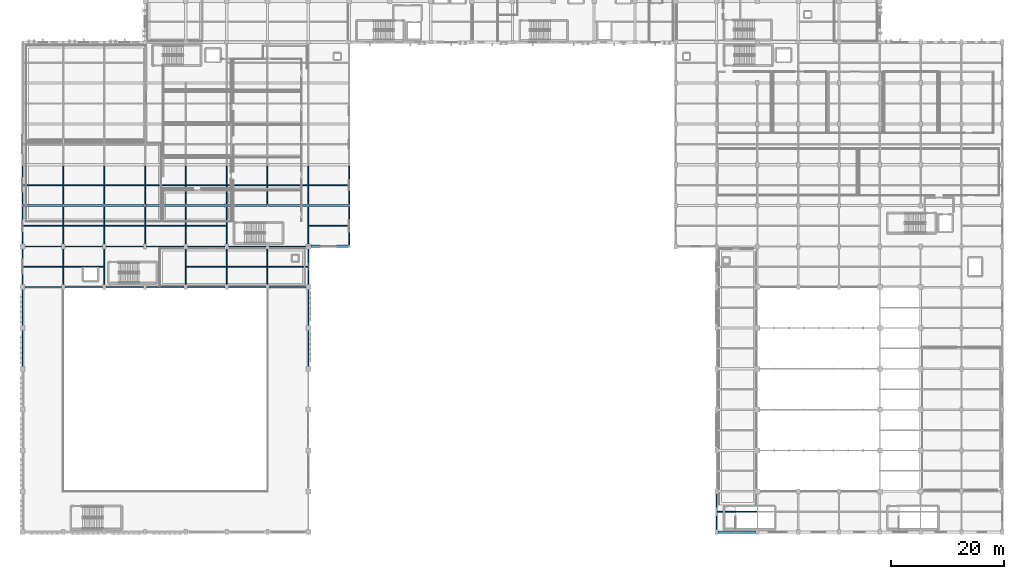
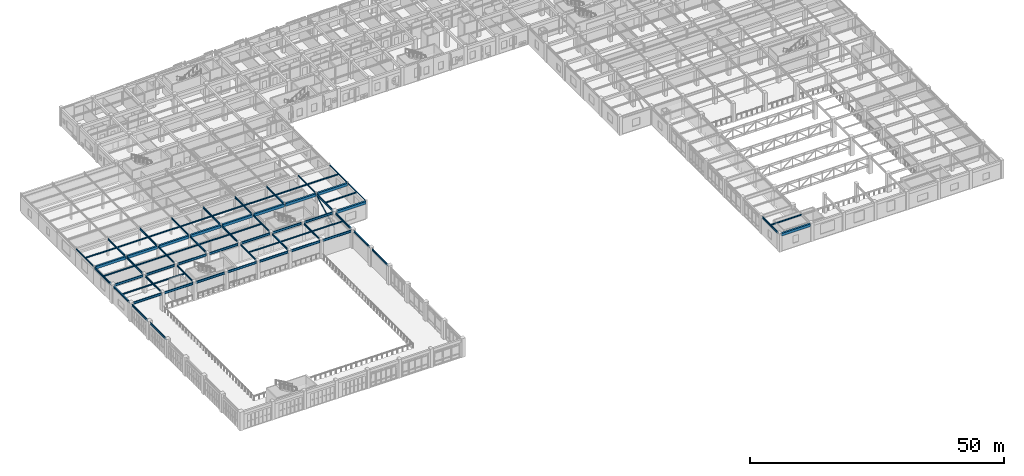
# One storey, part 18 of 106: 73 beams, 1 member.
"""IFC4 building model written with IfcOpenShell, lengths in metres."""

from ifc_helpers import new_model, si_unit, direction, frame, origin, origin_2d, place, context, subcontext, project, spatial, rectangle, hollow_rectangle, i_section, extrude, material, material_profile, profile_set, type_object, element, save


model = new_model("IFC4")

# Units and contexts
model_context = context("Model", 3, precision=1e-05, world=origin(), true_north=direction((0.0, 1.0)))
body_context = subcontext(model_context, "Body", "Model", "MODEL_VIEW")
ifc_project = project(units=[si_unit("LENGTHUNIT", "METRE"), si_unit("AREAUNIT", "SQUARE_METRE"), si_unit("VOLUMEUNIT", "CUBIC_METRE"), si_unit("PLANEANGLEUNIT", "RADIAN"), si_unit("MASSUNIT", "GRAM", prefix="KILO")], contexts=[model_context])

# Site, building, storey
site_placement = place(None, origin())
site = spatial("IfcSite", under=ifc_project, at=site_placement, CompositionType="ELEMENT")
building_placement = place(site_placement, origin())
building = spatial("IfcBuilding", under=site, at=building_placement, Name="Carrowvane Square Congress Hotel", CompositionType="ELEMENT")
storey_placement = place(building_placement, frame((0.0, 0.0, 10.5)))
storey = spatial("IfcBuildingStorey", under=building, at=storey_placement, Name="L02", CompositionType="ELEMENT", Elevation=10.5)

# Beams
ifc_material_1 = material(Name="Concrete C35/45", Category="concrete")
ifc_material_profile_1 = material_profile(ifc_material_1, rectangle(XDim=0.39990234375, YDim=0.64990234375, at=origin_2d()), Name="RC 400x650")
ifc_profile_set_1 = profile_set([ifc_material_profile_1], Name="Concrete C35/45")
beam_type_1 = type_object("IfcBeamType", Name="BM-RC-400x650", PredefinedType="BEAM", material=ifc_profile_set_1)
for number, where, z_axis, x_axis, name in (
    (1, (11.754638671875, 63.0, 3.89501953125), (1.0, 0.0, 0.0), (0.0, 1.0, 0.0), "L03 girder J/1-2"),
    (2, (18.95458984375, 63.0, 3.89501953125), (1.0, 0.0, 0.0), (0.0, 1.0, 0.0), "L03 girder J/2-3"),
    (3, (26.154541015625, 63.0, 3.89501953125), (1.0, 0.0, 0.0), (0.0, 1.0, 0.0), "L03 girder J/3-4"),
    (4, (33.3544921875, 63.0, 3.89501953125), (1.0, 0.0, 0.0), (0.0, 1.0, 0.0), "L03 girder J/4-5"),
):
    element("IfcBeam", number, at=place(storey_placement, frame(where, z_axis=z_axis, x_axis=x_axis)), inside=storey, type_object=beam_type_1, Name=name, PredefinedType="BEAM", context=body_context, shape_type="SweptSolid", body=[
        extrude(rectangle(XDim=0.39990234375, YDim=0.64990234375, at=origin_2d()), origin(), (0.0, 0.0, 1.0), 6.890869140625),
    ])
beam_1_placement = place(storey_placement, frame((40.5546875, 63.0, 3.89501953125), z_axis=(1.0, 0.0, 0.0), x_axis=(0.0, 1.0, 0.0)))
element("IfcBeam", 5, at=beam_1_placement, inside=storey, type_object=beam_type_1, Name="L03 girder J/5-6", PredefinedType="BEAM", context=body_context, shape_type="SweptSolid", body=[
    extrude(rectangle(XDim=0.39990234375, YDim=0.64990234375, at=origin_2d()), origin(), (0.0, 0.0, 1.0), 6.890625),
])
for number, where, z_axis, x_axis, name in (
    (6, (47.754638671875, 63.0, 3.89501953125), (1.0, 0.0, 0.0), (0.0, 1.0, 0.0), "L03 girder J/6-7"),
    (7, (54.95458984375, 63.0, 3.89501953125), (1.0, 0.0, 0.0), (0.0, 1.0, 0.0), "L03 girder J/7-8"),
    (8, (62.154541015625, 63.0, 3.89501953125), (1.0, 0.0, 0.0), (0.0, 1.0, 0.0), "L03 girder J/8-9"),
):
    element("IfcBeam", number, at=place(storey_placement, frame(where, z_axis=z_axis, x_axis=x_axis)), inside=storey, type_object=beam_type_1, Name=name, PredefinedType="BEAM", context=body_context, shape_type="SweptSolid", body=[
        extrude(rectangle(XDim=0.39990234375, YDim=0.64990234375, at=origin_2d()), origin(), (0.0, 0.0, 1.0), 6.890869140625),
    ])
ifc_material_2 = material(Name="Steel S355", Category="steel")
ifc_material_profile_2 = material_profile(ifc_material_2, hollow_rectangle(XDim=0.14990234375, YDim=0.25, WallThickness=0.012451171875, at=origin_2d()), Name="RHS 250x150x12.5")
ifc_profile_set_2 = profile_set([ifc_material_profile_2], Name="Steel S355")
beam_type_2 = type_object("IfcBeamType", Name="BM-ST-RHS250", PredefinedType="SPANDREL", material=ifc_profile_set_2)
for number, where, z_axis, x_axis, name in (
    (9, (11.60009765625, 63.16015625, 4.094970703125), (0.0, 1.0, 0.0), (-1.0, 0.0, 0.0), "L03 girder 1/J-K"),
    (10, (62.0, 63.16015625, 4.094970703125), (0.0, 1.0, 0.0), (-1.0, 0.0, 0.0), "L03 girder 8/J-K"),
    (11, (69.199951171875, 55.960205078125, 4.094970703125), (0.0, 1.0, 0.0), (-1.0, 0.0, 0.0), "L03 girder 9/H-J"),
    (12, (69.199951171875, 63.16015625, 4.094970703125), (0.0, 1.0, 0.0), (-1.0, 0.0, 0.0), "L03 girder 9/J-K"),
):
    element("IfcBeam", number, at=place(storey_placement, frame(where, z_axis=z_axis, x_axis=x_axis)), inside=storey, type_object=beam_type_2, Name=name, PredefinedType="SPANDREL", context=body_context, shape_type="SweptSolid", body=[
        extrude(hollow_rectangle(XDim=0.14990234375, YDim=0.25, WallThickness=0.012451171875, at=origin_2d()), origin(), (0.0, 0.0, 1.0), 6.879638671875),
    ])
ifc_material_3 = material(Name="Steel S355", Category="steel")
ifc_material_profile_3 = material_profile(ifc_material_3, i_section(OverallWidth=0.165771484375, OverallDepth=0.306640625, WebThickness=0.006591796875, FlangeThickness=0.01171875, FilletRadius=0.0087890625, at=origin_2d()), Name="UKB 305x165x46")
ifc_profile_set_3 = profile_set([ifc_material_profile_3], Name="Steel S355")
beam_type_3 = type_object("IfcBeamType", Name="BM-ST-UKB305", PredefinedType="JOIST", material=ifc_profile_set_3)
for number, where, z_axis, x_axis, name in (
    (13, (11.695556640625, 52.199951171875, 4.066650390625), (1.0, 0.0, 0.0), (0.0, 1.0, 0.0), "L03 secondary joist 1-2"),
    (14, (11.695556640625, 59.39990234375, 4.066650390625), (1.0, 0.0, 0.0), (0.0, 1.0, 0.0), "L03 secondary joist 1-2"),
):
    element("IfcBeam", number, at=place(storey_placement, frame(where, z_axis=z_axis, x_axis=x_axis)), inside=storey, type_object=beam_type_3, Name=name, PredefinedType="JOIST", context=body_context, shape_type="SweptSolid", body=[
        extrude(i_section(OverallWidth=0.165771484375, OverallDepth=0.306640625, WebThickness=0.006591796875, FlangeThickness=0.01171875, FilletRadius=0.0087890625, at=origin_2d()), origin(), (0.0, 0.0, 1.0), 7.01513671875),
    ])
beam_2_placement = place(storey_placement, frame((11.675048828125, 66.60009765625, 4.066650390625), z_axis=(1.0, 0.0, 0.0), x_axis=(0.0, 1.0, 0.0)))
element("IfcBeam", 15, at=beam_2_placement, inside=storey, type_object=beam_type_3, Name="L03 secondary joist 1-2", PredefinedType="JOIST", context=body_context, shape_type="SweptSolid", body=[
    extrude(i_section(OverallWidth=0.165771484375, OverallDepth=0.306640625, WebThickness=0.006591796875, FlangeThickness=0.01171875, FilletRadius=0.0087890625, at=origin_2d()), origin(), (0.0, 0.0, 1.0), 7.03564453125),
])
for number, where, z_axis, x_axis, name in (
    (16, (18.889404296875, 52.199951171875, 4.066650390625), (1.0, 0.0, 0.0), (0.0, 1.0, 0.0), "L03 secondary joist 2-3"),
    (17, (18.889404296875, 59.39990234375, 4.066650390625), (1.0, 0.0, 0.0), (0.0, 1.0, 0.0), "L03 secondary joist 2-3"),
    (18, (18.889404296875, 66.60009765625, 4.066650390625), (1.0, 0.0, 0.0), (0.0, 1.0, 0.0), "L03 secondary joist 2-3"),
    (19, (26.08935546875, 59.39990234375, 4.066650390625), (1.0, 0.0, 0.0), (0.0, 1.0, 0.0), "L03 secondary joist 3-4"),
    (20, (26.08935546875, 66.60009765625, 4.066650390625), (1.0, 0.0, 0.0), (0.0, 1.0, 0.0), "L03 secondary joist 3-4"),
    (21, (33.289306640625, 59.39990234375, 4.066650390625), (1.0, 0.0, 0.0), (0.0, 1.0, 0.0), "L03 secondary joist 4-5"),
    (22, (33.289306640625, 66.60009765625, 4.066650390625), (1.0, 0.0, 0.0), (0.0, 1.0, 0.0), "L03 secondary joist 4-5"),
):
    element("IfcBeam", number, at=place(storey_placement, frame(where, z_axis=z_axis, x_axis=x_axis)), inside=storey, type_object=beam_type_3, Name=name, PredefinedType="JOIST", context=body_context, shape_type="SweptSolid", body=[
        extrude(i_section(OverallWidth=0.165771484375, OverallDepth=0.306640625, WebThickness=0.006591796875, FlangeThickness=0.01171875, FilletRadius=0.0087890625, at=origin_2d()), origin(), (0.0, 0.0, 1.0), 7.021240234375),
    ])
for number, where, z_axis, x_axis, name in (
    (23, (40.489501953125, 52.199951171875, 4.066650390625), (1.0, 0.0, 0.0), (0.0, 1.0, 0.0), "L03 secondary joist 5-6"),
    (24, (40.489501953125, 59.39990234375, 4.066650390625), (1.0, 0.0, 0.0), (0.0, 1.0, 0.0), "L03 secondary joist 5-6"),
    (25, (40.489501953125, 66.60009765625, 4.066650390625), (1.0, 0.0, 0.0), (0.0, 1.0, 0.0), "L03 secondary joist 5-6"),
):
    element("IfcBeam", number, at=place(storey_placement, frame(where, z_axis=z_axis, x_axis=x_axis)), inside=storey, type_object=beam_type_3, Name=name, PredefinedType="JOIST", context=body_context, shape_type="SweptSolid", body=[
        extrude(i_section(OverallWidth=0.165771484375, OverallDepth=0.306640625, WebThickness=0.006591796875, FlangeThickness=0.01171875, FilletRadius=0.0087890625, at=origin_2d()), origin(), (0.0, 0.0, 1.0), 7.02099609375),
    ])
for number, where, z_axis, x_axis, name in (
    (26, (47.689453125, 52.199951171875, 4.066650390625), (1.0, 0.0, 0.0), (0.0, 1.0, 0.0), "L03 secondary joist 6-7"),
    (27, (47.689453125, 66.60009765625, 4.066650390625), (1.0, 0.0, 0.0), (0.0, 1.0, 0.0), "L03 secondary joist 6-7"),
):
    element("IfcBeam", number, at=place(storey_placement, frame(where, z_axis=z_axis, x_axis=x_axis)), inside=storey, type_object=beam_type_3, Name=name, PredefinedType="JOIST", context=body_context, shape_type="SweptSolid", body=[
        extrude(i_section(OverallWidth=0.165771484375, OverallDepth=0.306640625, WebThickness=0.006591796875, FlangeThickness=0.01171875, FilletRadius=0.0087890625, at=origin_2d()), origin(), (0.0, 0.0, 1.0), 7.021240234375),
    ])
beam_3_placement = place(storey_placement, frame((54.889404296875, 52.199951171875, 4.066650390625), z_axis=(1.0, 0.0, 0.0), x_axis=(0.0, 1.0, 0.0)))
element("IfcBeam", 28, at=beam_3_placement, inside=storey, type_object=beam_type_3, Name="L03 secondary joist 7-8", PredefinedType="JOIST", context=body_context, shape_type="SweptSolid", body=[
    extrude(i_section(OverallWidth=0.165771484375, OverallDepth=0.306640625, WebThickness=0.006591796875, FlangeThickness=0.01171875, FilletRadius=0.0087890625, at=origin_2d()), origin(), (0.0, 0.0, 1.0), 7.014892578125),
])
beam_4_placement = place(storey_placement, frame((54.889404296875, 66.60009765625, 4.066650390625), z_axis=(1.0, 0.0, 0.0), x_axis=(0.0, 1.0, 0.0)))
element("IfcBeam", 29, at=beam_4_placement, inside=storey, type_object=beam_type_3, Name="L03 secondary joist 7-8", PredefinedType="JOIST", context=body_context, shape_type="SweptSolid", body=[
    extrude(i_section(OverallWidth=0.165771484375, OverallDepth=0.306640625, WebThickness=0.006591796875, FlangeThickness=0.01171875, FilletRadius=0.0087890625, at=origin_2d()), origin(), (0.0, 0.0, 1.0), 7.03564453125),
])
beam_5_placement = place(storey_placement, frame((62.095703125, 59.39990234375, 4.066650390625), z_axis=(1.0, 0.0, 0.0), x_axis=(0.0, 1.0, 0.0)))
element("IfcBeam", 30, at=beam_5_placement, inside=storey, type_object=beam_type_3, Name="L03 secondary joist 8-9", PredefinedType="JOIST", context=body_context, shape_type="SweptSolid", body=[
    extrude(i_section(OverallWidth=0.165771484375, OverallDepth=0.306640625, WebThickness=0.006591796875, FlangeThickness=0.01171875, FilletRadius=0.0087890625, at=origin_2d()), origin(), (0.0, 0.0, 1.0), 7.029296875),
])
beam_6_placement = place(storey_placement, frame((62.074951171875, 66.60009765625, 4.066650390625), z_axis=(1.0, 0.0, 0.0), x_axis=(0.0, 1.0, 0.0)))
element("IfcBeam", 31, at=beam_6_placement, inside=storey, type_object=beam_type_3, Name="L03 secondary joist 8-9", PredefinedType="JOIST", context=body_context, shape_type="SweptSolid", body=[
    extrude(i_section(OverallWidth=0.165771484375, OverallDepth=0.306640625, WebThickness=0.006591796875, FlangeThickness=0.01171875, FilletRadius=0.0087890625, at=origin_2d()), origin(), (0.0, 0.0, 1.0), 7.050048828125),
])
beam_7_placement = place(storey_placement, frame((134.095703125, 9.0, 4.066650390625), z_axis=(1.0, 0.0, 0.0), x_axis=(0.0, 1.0, 0.0)))
element("IfcBeam", 32, at=beam_7_placement, inside=storey, type_object=beam_type_3, Name="L03 secondary joist 18-19", PredefinedType="JOIST", context=body_context, shape_type="SweptSolid", body=[
    extrude(i_section(OverallWidth=0.165771484375, OverallDepth=0.306640625, WebThickness=0.006591796875, FlangeThickness=0.01171875, FilletRadius=0.0087890625, at=origin_2d()), origin(), (0.0, 0.0, 1.0), 6.999267578125),
])
ifc_material_4 = material(Name="Steel S355", Category="steel")
ifc_material_profile_4 = material_profile(ifc_material_4, i_section(OverallWidth=0.1787109375, OverallDepth=0.409423828125, WebThickness=0.0087890625, FlangeThickness=0.014404296875, FilletRadius=0.01025390625, at=origin_2d()), Name="UKB 406x178x67")
ifc_profile_set_4 = profile_set([ifc_material_profile_4], Name="Steel S355")
beam_type_4 = type_object("IfcBeamType", Name="BM-ST-UKB406", PredefinedType="BEAM", material=ifc_profile_set_4)
beam_8_placement = place(storey_placement, frame((18.800048828125, 49.050048828125, 4.015380859375), z_axis=(0.0, 1.0, 0.0), x_axis=(-1.0, 0.0, 0.0)))
element("IfcBeam", 33, at=beam_8_placement, inside=storey, type_object=beam_type_4, Name="L03 girder 2/G-H", PredefinedType="BEAM", context=body_context, shape_type="SweptSolid", body=[
    extrude(i_section(OverallWidth=0.1787109375, OverallDepth=0.409423828125, WebThickness=0.0087890625, FlangeThickness=0.014404296875, FilletRadius=0.01025390625, at=origin_2d()), origin(), (0.0, 0.0, 1.0), 6.300048828125),
])
beam_9_placement = place(storey_placement, frame((18.800048828125, 56.25, 4.015380859375), z_axis=(0.0, 1.0, 0.0), x_axis=(-1.0, 0.0, 0.0)))
element("IfcBeam", 34, at=beam_9_placement, inside=storey, type_object=beam_type_4, Name="L03 girder 2/H-J", PredefinedType="BEAM", context=body_context, shape_type="SweptSolid", body=[
    extrude(i_section(OverallWidth=0.1787109375, OverallDepth=0.409423828125, WebThickness=0.0087890625, FlangeThickness=0.014404296875, FilletRadius=0.01025390625, at=origin_2d()), origin(), (0.0, 0.0, 1.0), 6.58984375),
])
beam_10_placement = place(storey_placement, frame((18.800048828125, 63.16015625, 4.015380859375), z_axis=(0.0, 1.0, 0.0), x_axis=(-1.0, 0.0, 0.0)))
element("IfcBeam", 35, at=beam_10_placement, inside=storey, type_object=beam_type_4, Name="L03 girder 2/J-K", PredefinedType="BEAM", context=body_context, shape_type="SweptSolid", body=[
    extrude(i_section(OverallWidth=0.1787109375, OverallDepth=0.409423828125, WebThickness=0.0087890625, FlangeThickness=0.014404296875, FilletRadius=0.01025390625, at=origin_2d()), origin(), (0.0, 0.0, 1.0), 6.879638671875),
])
beam_11_placement = place(storey_placement, frame((26.0, 49.050048828125, 4.015380859375), z_axis=(0.0, 1.0, 0.0), x_axis=(-1.0, 0.0, 0.0)))
element("IfcBeam", 36, at=beam_11_placement, inside=storey, type_object=beam_type_4, Name="L03 girder 3/G-H", PredefinedType="BEAM", context=body_context, shape_type="SweptSolid", body=[
    extrude(i_section(OverallWidth=0.1787109375, OverallDepth=0.409423828125, WebThickness=0.0087890625, FlangeThickness=0.014404296875, FilletRadius=0.01025390625, at=origin_2d()), origin(), (0.0, 0.0, 1.0), 6.300048828125),
])
beam_12_placement = place(storey_placement, frame((26.0, 56.25, 4.015380859375), z_axis=(0.0, 1.0, 0.0), x_axis=(-1.0, 0.0, 0.0)))
element("IfcBeam", 37, at=beam_12_placement, inside=storey, type_object=beam_type_4, Name="L03 girder 3/H-J", PredefinedType="BEAM", context=body_context, shape_type="SweptSolid", body=[
    extrude(i_section(OverallWidth=0.1787109375, OverallDepth=0.409423828125, WebThickness=0.0087890625, FlangeThickness=0.014404296875, FilletRadius=0.01025390625, at=origin_2d()), origin(), (0.0, 0.0, 1.0), 6.58984375),
])
beam_13_placement = place(storey_placement, frame((26.0, 63.16015625, 4.015380859375), z_axis=(0.0, 1.0, 0.0), x_axis=(-1.0, 0.0, 0.0)))
element("IfcBeam", 38, at=beam_13_placement, inside=storey, type_object=beam_type_4, Name="L03 girder 3/J-K", PredefinedType="BEAM", context=body_context, shape_type="SweptSolid", body=[
    extrude(i_section(OverallWidth=0.1787109375, OverallDepth=0.409423828125, WebThickness=0.0087890625, FlangeThickness=0.014404296875, FilletRadius=0.01025390625, at=origin_2d()), origin(), (0.0, 0.0, 1.0), 6.879638671875),
])
beam_14_placement = place(storey_placement, frame((33.199951171875, 56.25, 4.015380859375), z_axis=(0.0, 1.0, 0.0), x_axis=(-1.0, 0.0, 0.0)))
element("IfcBeam", 39, at=beam_14_placement, inside=storey, type_object=beam_type_4, Name="L03 girder 4/H-J", PredefinedType="BEAM", context=body_context, shape_type="SweptSolid", body=[
    extrude(i_section(OverallWidth=0.1787109375, OverallDepth=0.409423828125, WebThickness=0.0087890625, FlangeThickness=0.014404296875, FilletRadius=0.01025390625, at=origin_2d()), origin(), (0.0, 0.0, 1.0), 6.58984375),
])
beam_15_placement = place(storey_placement, frame((33.199951171875, 63.16015625, 4.015380859375), z_axis=(0.0, 1.0, 0.0), x_axis=(-1.0, 0.0, 0.0)))
element("IfcBeam", 40, at=beam_15_placement, inside=storey, type_object=beam_type_4, Name="L03 girder 4/J-K", PredefinedType="BEAM", context=body_context, shape_type="SweptSolid", body=[
    extrude(i_section(OverallWidth=0.1787109375, OverallDepth=0.409423828125, WebThickness=0.0087890625, FlangeThickness=0.014404296875, FilletRadius=0.01025390625, at=origin_2d()), origin(), (0.0, 0.0, 1.0), 6.879638671875),
])
beam_16_placement = place(storey_placement, frame((40.39990234375, 49.050048828125, 4.015380859375), z_axis=(0.0, 1.0, 0.0), x_axis=(-1.0, 0.0, 0.0)))
element("IfcBeam", 41, at=beam_16_placement, inside=storey, type_object=beam_type_4, Name="L03 girder 5/G-H", PredefinedType="BEAM", context=body_context, shape_type="SweptSolid", body=[
    extrude(i_section(OverallWidth=0.1787109375, OverallDepth=0.409423828125, WebThickness=0.0087890625, FlangeThickness=0.014404296875, FilletRadius=0.01025390625, at=origin_2d()), origin(), (0.0, 0.0, 1.0), 6.300048828125),
])
beam_17_placement = place(storey_placement, frame((40.39990234375, 56.25, 4.015380859375), z_axis=(0.0, 1.0, 0.0), x_axis=(-1.0, 0.0, 0.0)))
element("IfcBeam", 42, at=beam_17_placement, inside=storey, type_object=beam_type_4, Name="L03 girder 5/H-J", PredefinedType="BEAM", context=body_context, shape_type="SweptSolid", body=[
    extrude(i_section(OverallWidth=0.1787109375, OverallDepth=0.409423828125, WebThickness=0.0087890625, FlangeThickness=0.014404296875, FilletRadius=0.01025390625, at=origin_2d()), origin(), (0.0, 0.0, 1.0), 6.58984375),
])
beam_18_placement = place(storey_placement, frame((40.39990234375, 63.16015625, 4.015380859375), z_axis=(0.0, 1.0, 0.0), x_axis=(-1.0, 0.0, 0.0)))
element("IfcBeam", 43, at=beam_18_placement, inside=storey, type_object=beam_type_4, Name="L03 girder 5/J-K", PredefinedType="BEAM", context=body_context, shape_type="SweptSolid", body=[
    extrude(i_section(OverallWidth=0.1787109375, OverallDepth=0.409423828125, WebThickness=0.0087890625, FlangeThickness=0.014404296875, FilletRadius=0.01025390625, at=origin_2d()), origin(), (0.0, 0.0, 1.0), 6.879638671875),
])
beam_19_placement = place(storey_placement, frame((47.60009765625, 49.050048828125, 4.015380859375), z_axis=(0.0, 1.0, 0.0), x_axis=(-1.0, 0.0, 0.0)))
element("IfcBeam", 44, at=beam_19_placement, inside=storey, type_object=beam_type_4, Name="L03 girder 6/G-H", PredefinedType="BEAM", context=body_context, shape_type="SweptSolid", body=[
    extrude(i_section(OverallWidth=0.1787109375, OverallDepth=0.409423828125, WebThickness=0.0087890625, FlangeThickness=0.014404296875, FilletRadius=0.01025390625, at=origin_2d()), origin(), (0.0, 0.0, 1.0), 6.300048828125),
])
beam_20_placement = place(storey_placement, frame((47.60009765625, 56.25, 4.015380859375), z_axis=(0.0, 1.0, 0.0), x_axis=(-1.0, 0.0, 0.0)))
element("IfcBeam", 45, at=beam_20_placement, inside=storey, type_object=beam_type_4, Name="L03 girder 6/H-J", PredefinedType="BEAM", context=body_context, shape_type="SweptSolid", body=[
    extrude(i_section(OverallWidth=0.1787109375, OverallDepth=0.409423828125, WebThickness=0.0087890625, FlangeThickness=0.014404296875, FilletRadius=0.01025390625, at=origin_2d()), origin(), (0.0, 0.0, 1.0), 6.58984375),
])
beam_21_placement = place(storey_placement, frame((47.60009765625, 63.16015625, 4.015380859375), z_axis=(0.0, 1.0, 0.0), x_axis=(-1.0, 0.0, 0.0)))
element("IfcBeam", 46, at=beam_21_placement, inside=storey, type_object=beam_type_4, Name="L03 girder 6/J-K", PredefinedType="BEAM", context=body_context, shape_type="SweptSolid", body=[
    extrude(i_section(OverallWidth=0.1787109375, OverallDepth=0.409423828125, WebThickness=0.0087890625, FlangeThickness=0.014404296875, FilletRadius=0.01025390625, at=origin_2d()), origin(), (0.0, 0.0, 1.0), 6.879638671875),
])
beam_22_placement = place(storey_placement, frame((54.800048828125, 49.050048828125, 4.015380859375), z_axis=(0.0, 1.0, 0.0), x_axis=(-1.0, 0.0, 0.0)))
element("IfcBeam", 47, at=beam_22_placement, inside=storey, type_object=beam_type_4, Name="L03 girder 7/G-H", PredefinedType="BEAM", context=body_context, shape_type="SweptSolid", body=[
    extrude(i_section(OverallWidth=0.1787109375, OverallDepth=0.409423828125, WebThickness=0.0087890625, FlangeThickness=0.014404296875, FilletRadius=0.01025390625, at=origin_2d()), origin(), (0.0, 0.0, 1.0), 6.300048828125),
])
beam_23_placement = place(storey_placement, frame((54.800048828125, 63.16015625, 4.015380859375), z_axis=(0.0, 1.0, 0.0), x_axis=(-1.0, 0.0, 0.0)))
element("IfcBeam", 48, at=beam_23_placement, inside=storey, type_object=beam_type_4, Name="L03 girder 7/J-K", PredefinedType="BEAM", context=body_context, shape_type="SweptSolid", body=[
    extrude(i_section(OverallWidth=0.1787109375, OverallDepth=0.409423828125, WebThickness=0.0087890625, FlangeThickness=0.014404296875, FilletRadius=0.01025390625, at=origin_2d()), origin(), (0.0, 0.0, 1.0), 6.879638671875),
])
ifc_material_5 = material(Name="Steel S355", Category="steel")
ifc_material_profile_5 = material_profile(ifc_material_5, i_section(OverallWidth=0.19140625, OverallDepth=0.4599609375, WebThickness=0.010009765625, FlangeThickness=0.01611328125, FilletRadius=0.01025390625, at=origin_2d()), Name="UKB 457x191x82")
ifc_profile_set_5 = profile_set([ifc_material_profile_5], Name="Steel S355")
beam_type_5 = type_object("IfcBeamType", Name="BM-ST-UKB457", PredefinedType="SPANDREL", material=ifc_profile_set_5)
beam_24_placement = place(storey_placement, frame((11.60009765625, 34.64990234375, 3.989990234375), z_axis=(0.0, 1.0, 0.0), x_axis=(-1.0, 0.0, 0.0)))
element("IfcBeam", 49, at=beam_24_placement, inside=storey, type_object=beam_type_5, Name="L03 girder 1/E-F", PredefinedType="SPANDREL", context=body_context, shape_type="SweptSolid", body=[
    extrude(i_section(OverallWidth=0.19140625, OverallDepth=0.4599609375, WebThickness=0.010009765625, FlangeThickness=0.01611328125, FilletRadius=0.01025390625, at=origin_2d()), origin(), (0.0, 0.0, 1.0), 6.300048828125),
])
beam_25_placement = place(storey_placement, frame((11.60009765625, 41.85009765625, 3.989990234375), z_axis=(0.0, 1.0, 0.0), x_axis=(-1.0, 0.0, 0.0)))
element("IfcBeam", 50, at=beam_25_placement, inside=storey, type_object=beam_type_5, Name="L03 girder 1/F-G", PredefinedType="SPANDREL", context=body_context, shape_type="SweptSolid", body=[
    extrude(i_section(OverallWidth=0.19140625, OverallDepth=0.4599609375, WebThickness=0.010009765625, FlangeThickness=0.01611328125, FilletRadius=0.01025390625, at=origin_2d()), origin(), (0.0, 0.0, 1.0), 6.2998046875),
])
beam_26_placement = place(storey_placement, frame((11.60009765625, 49.050048828125, 3.989990234375), z_axis=(0.0, 1.0, 0.0), x_axis=(-1.0, 0.0, 0.0)))
element("IfcBeam", 51, at=beam_26_placement, inside=storey, type_object=beam_type_5, Name="L03 girder 1/G-H", PredefinedType="SPANDREL", context=body_context, shape_type="SweptSolid", body=[
    extrude(i_section(OverallWidth=0.19140625, OverallDepth=0.4599609375, WebThickness=0.010009765625, FlangeThickness=0.01611328125, FilletRadius=0.01025390625, at=origin_2d()), origin(), (0.0, 0.0, 1.0), 6.300048828125),
])
beam_27_placement = place(storey_placement, frame((11.60009765625, 56.25, 3.989990234375), z_axis=(0.0, 1.0, 0.0), x_axis=(-1.0, 0.0, 0.0)))
element("IfcBeam", 52, at=beam_27_placement, inside=storey, type_object=beam_type_5, Name="L03 girder 1/H-J", PredefinedType="SPANDREL", context=body_context, shape_type="SweptSolid", body=[
    extrude(i_section(OverallWidth=0.19140625, OverallDepth=0.4599609375, WebThickness=0.010009765625, FlangeThickness=0.01611328125, FilletRadius=0.01025390625, at=origin_2d()), origin(), (0.0, 0.0, 1.0), 6.58984375),
])
beam_28_placement = place(storey_placement, frame((62.0, 34.64990234375, 3.989990234375), z_axis=(0.0, 1.0, 0.0), x_axis=(-1.0, 0.0, 0.0)))
element("IfcBeam", 53, at=beam_28_placement, inside=storey, type_object=beam_type_5, Name="L03 girder 8/E-F", PredefinedType="SPANDREL", context=body_context, shape_type="SweptSolid", body=[
    extrude(i_section(OverallWidth=0.19140625, OverallDepth=0.4599609375, WebThickness=0.010009765625, FlangeThickness=0.01611328125, FilletRadius=0.01025390625, at=origin_2d()), origin(), (0.0, 0.0, 1.0), 6.300048828125),
])
beam_29_placement = place(storey_placement, frame((62.0, 41.85009765625, 3.989990234375), z_axis=(0.0, 1.0, 0.0), x_axis=(-1.0, 0.0, 0.0)))
element("IfcBeam", 54, at=beam_29_placement, inside=storey, type_object=beam_type_5, Name="L03 girder 8/F-G", PredefinedType="SPANDREL", context=body_context, shape_type="SweptSolid", body=[
    extrude(i_section(OverallWidth=0.19140625, OverallDepth=0.4599609375, WebThickness=0.010009765625, FlangeThickness=0.01611328125, FilletRadius=0.01025390625, at=origin_2d()), origin(), (0.0, 0.0, 1.0), 6.2998046875),
])
beam_30_placement = place(storey_placement, frame((62.0, 49.050048828125, 3.989990234375), z_axis=(0.0, 1.0, 0.0), x_axis=(-1.0, 0.0, 0.0)))
element("IfcBeam", 55, at=beam_30_placement, inside=storey, type_object=beam_type_5, Name="L03 girder 8/G-H", PredefinedType="SPANDREL", context=body_context, shape_type="SweptSolid", body=[
    extrude(i_section(OverallWidth=0.19140625, OverallDepth=0.4599609375, WebThickness=0.010009765625, FlangeThickness=0.01611328125, FilletRadius=0.01025390625, at=origin_2d()), origin(), (0.0, 0.0, 1.0), 6.300048828125),
])
beam_31_placement = place(storey_placement, frame((62.0, 56.25, 3.989990234375), z_axis=(0.0, 1.0, 0.0), x_axis=(-1.0, 0.0, 0.0)))
element("IfcBeam", 56, at=beam_31_placement, inside=storey, type_object=beam_type_5, Name="L03 girder 8/H-J", PredefinedType="SPANDREL", context=body_context, shape_type="SweptSolid", body=[
    extrude(i_section(OverallWidth=0.19140625, OverallDepth=0.4599609375, WebThickness=0.010009765625, FlangeThickness=0.01611328125, FilletRadius=0.01025390625, at=origin_2d()), origin(), (0.0, 0.0, 1.0), 6.58984375),
])
beam_32_placement = place(storey_placement, frame((134.0, 5.85009765625, 3.989990234375), z_axis=(0.0, 1.0, 0.0), x_axis=(-1.0, 0.0, 0.0)))
element("IfcBeam", 57, at=beam_32_placement, inside=storey, type_object=beam_type_5, Name="L03 girder 18/A-B", PredefinedType="SPANDREL", context=body_context, shape_type="SweptSolid", body=[
    extrude(i_section(OverallWidth=0.19140625, OverallDepth=0.4599609375, WebThickness=0.010009765625, FlangeThickness=0.01611328125, FilletRadius=0.01025390625, at=origin_2d()), origin(), (0.0, 0.0, 1.0), 6.2998046875),
])
ifc_material_6 = material(Name="Steel S355", Category="steel")
ifc_material_profile_6 = material_profile(ifc_material_6, i_section(OverallWidth=0.2099609375, OverallDepth=0.53662109375, WebThickness=0.0107421875, FlangeThickness=0.017333984375, FilletRadius=0.0126953125, at=origin_2d()), Name="UKB 533x210x101")
ifc_profile_set_6 = profile_set([ifc_material_profile_6], Name="Steel S355")
beam_type_6 = type_object("IfcBeamType", Name="BM-ST-UKB533", PredefinedType="USERDEFINED", material=ifc_profile_set_6)
beam_33_placement = place(storey_placement, frame((12.050048828125, 48.60009765625, 3.95166015625), z_axis=(1.0, 0.0, 0.0), x_axis=(0.0, 1.0, 0.0)))
element("IfcBeam", 58, at=beam_33_placement, inside=storey, type_object=beam_type_6, Name="L03 girder G/1-2", ObjectType="GIRDER", PredefinedType="USERDEFINED", context=body_context, shape_type="SweptSolid", body=[
    extrude(i_section(OverallWidth=0.2099609375, OverallDepth=0.53662109375, WebThickness=0.0107421875, FlangeThickness=0.017333984375, FilletRadius=0.0126953125, at=origin_2d()), origin(), (0.0, 0.0, 1.0), 6.449951171875),
])
for number, where, z_axis, x_axis, name in (
    (59, (19.10009765625, 48.60009765625, 3.95166015625), (1.0, 0.0, 0.0), (0.0, 1.0, 0.0), "L03 girder G/2-3"),
    (60, (26.300048828125, 48.60009765625, 3.95166015625), (1.0, 0.0, 0.0), (0.0, 1.0, 0.0), "L03 girder G/3-4"),
):
    element("IfcBeam", number, at=place(storey_placement, frame(where, z_axis=z_axis, x_axis=x_axis)), inside=storey, type_object=beam_type_6, Name=name, ObjectType="GIRDER", PredefinedType="USERDEFINED", context=body_context, shape_type="SweptSolid", body=[
        extrude(i_section(OverallWidth=0.2099609375, OverallDepth=0.53662109375, WebThickness=0.0107421875, FlangeThickness=0.017333984375, FilletRadius=0.0126953125, at=origin_2d()), origin(), (0.0, 0.0, 1.0), 6.599853515625),
    ])
for number, where, z_axis, x_axis, name in (
    (61, (33.5, 48.60009765625, 3.95166015625), (1.0, 0.0, 0.0), (0.0, 1.0, 0.0), "L03 girder G/4-5"),
    (62, (40.699951171875, 48.60009765625, 3.95166015625), (1.0, 0.0, 0.0), (0.0, 1.0, 0.0), "L03 girder G/5-6"),
    (63, (47.89990234375, 48.60009765625, 3.95166015625), (1.0, 0.0, 0.0), (0.0, 1.0, 0.0), "L03 girder G/6-7"),
):
    element("IfcBeam", number, at=place(storey_placement, frame(where, z_axis=z_axis, x_axis=x_axis)), inside=storey, type_object=beam_type_6, Name=name, ObjectType="GIRDER", PredefinedType="USERDEFINED", context=body_context, shape_type="SweptSolid", body=[
        extrude(i_section(OverallWidth=0.2099609375, OverallDepth=0.53662109375, WebThickness=0.0107421875, FlangeThickness=0.017333984375, FilletRadius=0.0126953125, at=origin_2d()), origin(), (0.0, 0.0, 1.0), 6.60009765625),
    ])
for number, where, z_axis, x_axis, name in (
    (64, (55.10009765625, 48.60009765625, 3.95166015625), (1.0, 0.0, 0.0), (0.0, 1.0, 0.0), "L03 girder G/7-8"),
    (65, (12.050048828125, 55.800048828125, 3.95166015625), (1.0, 0.0, 0.0), (0.0, 1.0, 0.0), "L03 girder H/1-2"),
):
    element("IfcBeam", number, at=place(storey_placement, frame(where, z_axis=z_axis, x_axis=x_axis)), inside=storey, type_object=beam_type_6, Name=name, ObjectType="GIRDER", PredefinedType="USERDEFINED", context=body_context, shape_type="SweptSolid", body=[
        extrude(i_section(OverallWidth=0.2099609375, OverallDepth=0.53662109375, WebThickness=0.0107421875, FlangeThickness=0.017333984375, FilletRadius=0.0126953125, at=origin_2d()), origin(), (0.0, 0.0, 1.0), 6.449951171875),
    ])
for number, where, z_axis, x_axis, name in (
    (66, (19.10009765625, 55.800048828125, 3.95166015625), (1.0, 0.0, 0.0), (0.0, 1.0, 0.0), "L03 girder H/2-3"),
    (67, (26.300048828125, 55.800048828125, 3.95166015625), (1.0, 0.0, 0.0), (0.0, 1.0, 0.0), "L03 girder H/3-4"),
):
    element("IfcBeam", number, at=place(storey_placement, frame(where, z_axis=z_axis, x_axis=x_axis)), inside=storey, type_object=beam_type_6, Name=name, ObjectType="GIRDER", PredefinedType="USERDEFINED", context=body_context, shape_type="SweptSolid", body=[
        extrude(i_section(OverallWidth=0.2099609375, OverallDepth=0.53662109375, WebThickness=0.0107421875, FlangeThickness=0.017333984375, FilletRadius=0.0126953125, at=origin_2d()), origin(), (0.0, 0.0, 1.0), 6.599853515625),
    ])
for number, where, z_axis, x_axis, name in (
    (68, (33.5, 55.800048828125, 3.95166015625), (1.0, 0.0, 0.0), (0.0, 1.0, 0.0), "L03 girder H/4-5"),
    (69, (40.699951171875, 55.800048828125, 3.95166015625), (1.0, 0.0, 0.0), (0.0, 1.0, 0.0), "L03 girder H/5-6"),
    (70, (47.89990234375, 55.800048828125, 3.95166015625), (1.0, 0.0, 0.0), (0.0, 1.0, 0.0), "L03 girder H/6-7"),
):
    element("IfcBeam", number, at=place(storey_placement, frame(where, z_axis=z_axis, x_axis=x_axis)), inside=storey, type_object=beam_type_6, Name=name, ObjectType="GIRDER", PredefinedType="USERDEFINED", context=body_context, shape_type="SweptSolid", body=[
        extrude(i_section(OverallWidth=0.2099609375, OverallDepth=0.53662109375, WebThickness=0.0107421875, FlangeThickness=0.017333984375, FilletRadius=0.0126953125, at=origin_2d()), origin(), (0.0, 0.0, 1.0), 6.60009765625),
    ])
beam_34_placement = place(storey_placement, frame((55.10009765625, 55.800048828125, 3.95166015625), z_axis=(1.0, 0.0, 0.0), x_axis=(0.0, 1.0, 0.0)))
element("IfcBeam", 71, at=beam_34_placement, inside=storey, type_object=beam_type_6, Name="L03 girder H/7-8", ObjectType="GIRDER", PredefinedType="USERDEFINED", context=body_context, shape_type="SweptSolid", body=[
    extrude(i_section(OverallWidth=0.2099609375, OverallDepth=0.53662109375, WebThickness=0.0107421875, FlangeThickness=0.017333984375, FilletRadius=0.0126953125, at=origin_2d()), origin(), (0.0, 0.0, 1.0), 6.449951171875),
])

# Member
ifc_material_7 = material(Name="Steel S355", Category="steel")
ifc_material_profile_7 = material_profile(ifc_material_7, hollow_rectangle(XDim=0.14990234375, YDim=0.14990234375, WallThickness=0.010009765625, at=origin_2d()), Name="SHS 150x150x10")
ifc_profile_set_7 = profile_set([ifc_material_profile_7], Name="Steel S355")
member_type = type_object("IfcMemberType", Name="MEM-BR-SHS150", PredefinedType="BRACE", material=ifc_profile_set_7)
member_placement = place(storey_placement, frame((62.0, 55.919921875, 0.14990234375), z_axis=(0.0, 0.887167882252, 0.461446799426), x_axis=(-1.0, 0.0, 0.0)))
element("IfcMember", 72, at=member_placement, inside=storey, type_object=member_type, Name="L02 vertical lateral brace 7", PredefinedType="BRACE", context=body_context, shape_type="SweptSolid", body=[
    extrude(hollow_rectangle(XDim=0.14990234375, YDim=0.14990234375, WallThickness=0.010009765625, at=origin_2d()), origin(), (0.0, 0.0, 1.0), 7.84521484375),
])

# Beams
ifc_material_8 = material(Name="Concrete C35/45", Category="concrete")
ifc_material_profile_8 = material_profile(ifc_material_8, rectangle(XDim=0.39990234375, YDim=0.64990234375, at=origin_2d()), Name="RC 400x650")
ifc_profile_set_8 = profile_set([ifc_material_profile_8], Name="Concrete C35/45")
beam_type_7 = type_object("IfcBeamType", Name="SP-RC-400x650", PredefinedType="SPANDREL", material=ifc_profile_set_8)
beam_35_placement = place(storey_placement, frame((134.300048828125, 5.39990234375, 3.89501953125), z_axis=(1.0, 0.0, 0.0), x_axis=(0.0, 1.0, 0.0)))
element("IfcBeam", 73, at=beam_35_placement, inside=storey, type_object=beam_type_7, Name="L03 girder A/18-19", PredefinedType="SPANDREL", context=body_context, shape_type="SweptSolid", body=[
    extrude(rectangle(XDim=0.39990234375, YDim=0.64990234375, at=origin_2d()), origin(), (0.0, 0.0, 1.0), 6.599853515625),
])
beam_36_placement = place(storey_placement, frame((62.449951171875, 55.800048828125, 3.89501953125), z_axis=(1.0, 0.0, 0.0), x_axis=(0.0, 1.0, 0.0)))
element("IfcBeam", 74, at=beam_36_placement, inside=storey, type_object=beam_type_7, Name="L03 girder H/8-9", PredefinedType="SPANDREL", context=body_context, shape_type="SweptSolid", body=[
    extrude(rectangle(XDim=0.39990234375, YDim=0.64990234375, at=origin_2d()), origin(), (0.0, 0.0, 1.0), 6.595458984375),
])

save(model, "model.ifc")
